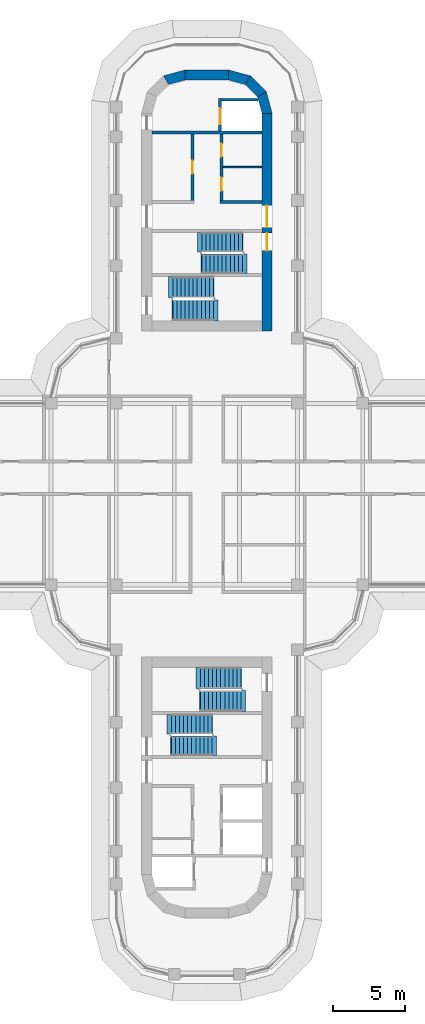
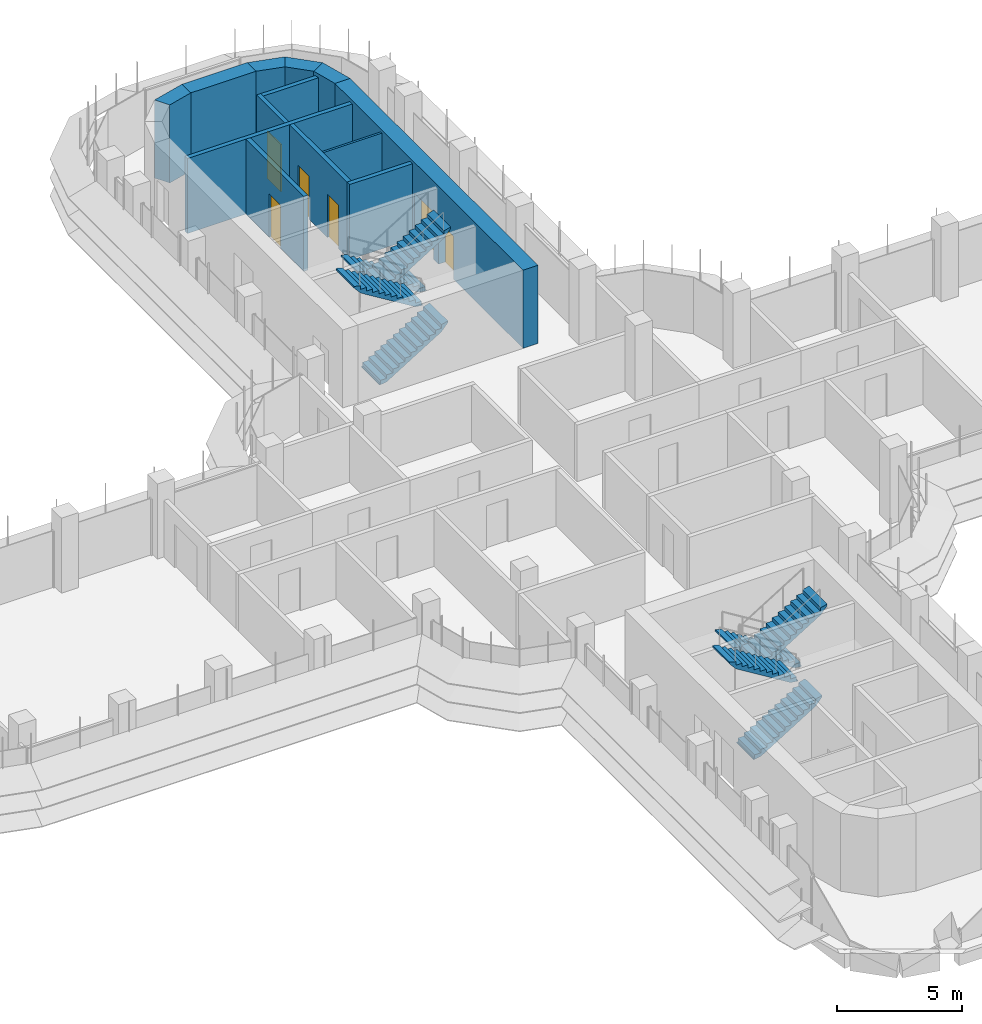
# One storey, part 16 of 20: 13 walls, 8 stair flights, 6 doors, 6 openings, 4 elements without a shape of their own.
"""IFC4 building model written with IfcOpenShell, lengths in metres."""

from ifc_helpers import new_model, si_unit, direction, frame, frame_2d, origin, place, context, subcontext, project, spatial, polyline, rectangle, outline, extrude, material, layer, layer_set, type_object, element, fill, aggregate, save


model = new_model("IFC4")

# Units and contexts
model_context = context("Model", 3, precision=1e-05, world=origin(), true_north=direction((0.0, 1.0)))
body_context = subcontext(model_context, "Body", "Model", "MODEL_VIEW")
ifc_project = project(units=[si_unit("LENGTHUNIT", "METRE"), si_unit("AREAUNIT", "SQUARE_METRE"), si_unit("VOLUMEUNIT", "CUBIC_METRE"), si_unit("PLANEANGLEUNIT", "RADIAN"), si_unit("MASSUNIT", "GRAM", prefix="KILO")], contexts=[model_context])

# Site, building, storey
site_placement = place(None, origin())
site = spatial("IfcSite", under=ifc_project, at=site_placement, CompositionType="ELEMENT")
building_placement = place(site_placement, origin())
building = spatial("IfcBuilding", under=site, at=building_placement, Name="Zarbagh Exchange Tower", CompositionType="ELEMENT")
storey_placement = place(building_placement, frame((0.0, 0.0, 144.800048828125)))
storey = spatial("IfcBuildingStorey", under=building, at=storey_placement, Name="L34", CompositionType="ELEMENT", Elevation=144.800048828125)

# Walls
ifc_material_1 = material(Name="Dense blockwork", Category="masonry")
ifc_layer_1 = layer(ifc_material_1, 0.10009765625)
ifc_layer_set_1 = layer_set([ifc_layer_1], Name="Core partition 100 mm blockwork")
wall_type_1 = type_object("IfcWallType", Name="Core partition 100 mm blockwork", PredefinedType="PARTITIONING", material=ifc_layer_set_1)
wall_1_placement = place(storey_placement, frame((1.10009765625, 22.550048828125, 0.0), z_axis=(0.0, 0.0, 1.0), x_axis=(1.0, 0.0, 0.0)))
element("IfcWall", 1, at=wall_1_placement, inside=storey, type_object=wall_type_1, Name="North core partition wall CUT-E-580", PredefinedType="PARTITIONING", context=body_context, shape_type="SweptSolid", body=[
    extrude(rectangle(XDim=2.699951171875, YDim=0.10009765625, at=frame_2d((1.35009765625, 0.0))), origin(), (0.0, 0.0, 1.0), 3.64990234375),
])
ifc_material_2 = material(Name="Concrete C50/60", Category="concrete")
ifc_layer_2 = layer(ifc_material_2, 0.699951171875)
ifc_layer_set_2 = layer_set([ifc_layer_2], Name="RC core corner wall 700 C50/60")
wall_type_2 = type_object("IfcWallType", Name="RC core corner wall 700 C50/60", PredefinedType="SHEAR", material=ifc_layer_set_2)
wall_2_placement = place(storey_placement, origin())
element("IfcWall", 2, at=wall_2_placement, inside=storey, type_object=wall_type_2, Name="CW6 core N corner W", PredefinedType="SHEAR", context=body_context, shape_type="SweptSolid", body=[
    extrude(outline(polyline([(-3.0, 28.84814453125), (-1.5, 29.25), (-1.5, 28.550048828125), (-2.64990234375, 28.241943359375), (-3.0, 28.84814453125)])), origin(), (0.0, 0.0, 1.0), 3.800048828125),
])
wall_3_placement = place(storey_placement, origin())
element("IfcWall", 3, at=wall_3_placement, inside=storey, type_object=wall_type_2, Name="CW6 core N corner E", PredefinedType="SHEAR", context=body_context, shape_type="SweptSolid", body=[
    extrude(outline(polyline([(4.5, 26.25), (4.09814453125, 27.75), (3.491943359375, 27.39990234375), (3.800048828125, 26.25), (4.5, 26.25)])), origin(), (0.0, 0.0, 1.0), 3.800048828125),
])
wall_4_placement = place(storey_placement, origin())
element("IfcWall", 4, at=wall_4_placement, inside=storey, type_object=wall_type_2, Name="CW6 core N corner E", PredefinedType="SHEAR", context=body_context, shape_type="SweptSolid", body=[
    extrude(outline(polyline([(4.09814453125, 27.75), (3.0, 28.84814453125), (2.64990234375, 28.241943359375), (3.491943359375, 27.39990234375), (4.09814453125, 27.75)])), origin(), (0.0, 0.0, 1.0), 3.800048828125),
])
wall_5_placement = place(storey_placement, origin())
element("IfcWall", 5, at=wall_5_placement, inside=storey, type_object=wall_type_2, Name="CW6 core N corner E", PredefinedType="SHEAR", context=body_context, shape_type="SweptSolid", body=[
    extrude(outline(polyline([(3.0, 28.84814453125), (1.5, 29.25), (1.5, 28.550048828125), (2.64990234375, 28.241943359375), (3.0, 28.84814453125)])), origin(), (0.0, 0.0, 1.0), 3.800048828125),
])

# Wall, openings, doors
ifc_layer_3 = layer(ifc_material_2, 0.699951171875)
ifc_layer_set_3 = layer_set([ifc_layer_3], Name="RC core wall 700 C50/60")
wall_type_3 = type_object("IfcWallType", Name="RC core wall 700 C50/60", PredefinedType="SHEAR", material=ifc_layer_set_3)
wall_6_placement = place(storey_placement, frame((4.14990234375, 11.25, 0.0), z_axis=(0.0, 0.0, 1.0), x_axis=(0.0, 1.0, 0.0)))
wall_6 = element("IfcWall", 6, at=wall_6_placement, inside=storey, type_object=wall_type_3, Name="CW5 core N E", PredefinedType="SHEAR", context=body_context, shape_type="SweptSolid", body=[
    extrude(rectangle(XDim=15.0, YDim=0.699951171875, at=frame_2d((7.5, 0.0))), origin(), (0.0, 0.0, 1.0), 3.800048828125),
])
opening_1_placement = place(wall_6_placement, frame((7.14990234375, 0.0, 0.0)))
opening_1 = element("IfcOpeningElement", 7, at=opening_1_placement, cuts=wall_6, Name="Opening CD1-1500", PredefinedType="OPENING", context=body_context, shape_type="SweptSolid", body=[
    extrude(rectangle(XDim=1.5, YDim=2.300048828125, at=frame_2d((0.75, 1.14990234375))), frame((0.0, 0.35986328125, 0.0), z_axis=(0.0, -1.0, 0.0), x_axis=(1.0, 0.0, 0.0)), (0.0, 0.0, 1.0), 0.719970703125),
])
opening_2_placement = place(wall_6_placement, frame((5.550048828125, 0.0, 0.0)))
opening_2 = element("IfcOpeningElement", 8, at=opening_2_placement, cuts=wall_6, Name="Opening SD1-1200", PredefinedType="OPENING", context=body_context, shape_type="SweptSolid", body=[
    extrude(rectangle(XDim=1.199951171875, YDim=2.10009765625, at=frame_2d((0.60009765625, 1.050048828125))), frame((0.0, 0.35986328125, 0.0), z_axis=(0.0, -1.0, 0.0), x_axis=(1.0, 0.0, 0.0)), (0.0, 0.0, 1.0), 0.719970703125),
])
ifc_material_3 = material(Name="Steel", Category="steel")
door_type_1 = type_object("IfcDoorType", Name="Exit stair door 1200 x 2100", OperationType="NOTDEFINED", PredefinedType="DOOR", material=ifc_material_3)
door_1_placement = place(opening_2_placement, origin())
door_1 = element("IfcDoor", 9, at=door_1_placement, inside=storey, type_object=door_type_1, Name="North core stair door ST1", OperationType="SINGLE_SWING_RIGHT", OverallHeight=2.10009765625, OverallWidth=1.199951171875, PredefinedType="DOOR", context=body_context, shape_type="SweptSolid", body=[
    extrude(rectangle(XDim=1.199951171875, YDim=2.10009765625, at=frame_2d((0.60009765625, 1.050048828125))), frame((0.0, 0.02490234375, 0.0), z_axis=(0.0, -1.0, 0.0), x_axis=(1.0, 0.0, 0.0)), (0.0, 0.0, 1.0), 0.050048828125),
])
fill(opening_2, door_1)
door_type_2 = type_object("IfcDoorType", Name="Lift lobby double door 1500 x 2300", OperationType="NOTDEFINED", PredefinedType="DOOR", material=ifc_material_3)
door_2_placement = place(opening_1_placement, origin())
door_2 = element("IfcDoor", 10, at=door_2_placement, inside=storey, type_object=door_type_2, Name="North core lift lobby door LOBBY-E", OperationType="DOUBLE_DOOR_SINGLE_SWING", OverallHeight=2.300048828125, OverallWidth=1.5, PredefinedType="DOOR", context=body_context, shape_type="SweptSolid", body=[
    extrude(rectangle(XDim=1.5, YDim=2.300048828125, at=frame_2d((0.75, 1.14990234375))), frame((0.0, 0.02490234375, 0.0), z_axis=(0.0, -1.0, 0.0), x_axis=(1.0, 0.0, 0.0)), (0.0, 0.0, 1.0), 0.050048828125),
])
fill(opening_1, door_2)

# Wall
wall_7_placement = place(storey_placement, frame((-1.5, 28.89990234375, 0.0), z_axis=(0.0, 0.0, 1.0), x_axis=(1.0, 0.0, 0.0)))
element("IfcWall", 11, at=wall_7_placement, inside=storey, type_object=wall_type_3, Name="CW5 core N outer end", PredefinedType="SHEAR", context=body_context, shape_type="SweptSolid", body=[
    extrude(rectangle(XDim=3.0, YDim=0.699951171875, at=frame_2d((1.5, 0.0))), origin(), (0.0, 0.0, 1.0), 3.800048828125),
])

# Wall, opening, door
ifc_layer_4 = layer(ifc_material_1, 0.199951171875)
ifc_layer_set_4 = layer_set([ifc_layer_4], Name="Shaft wall 200 mm blockwork")
wall_type_4 = type_object("IfcWallType", Name="Shaft wall 200 mm blockwork", PredefinedType="PARTITIONING", material=ifc_layer_set_4)
wall_8_placement = place(storey_placement, frame((-1.0, 24.85009765625, 0.0), z_axis=(0.0, 0.0, 1.0), x_axis=(0.0, -1.0, 0.0)))
wall_8 = element("IfcWall", 12, at=wall_8_placement, inside=storey, type_object=wall_type_4, Name="North core shaft wall LW-W", PredefinedType="PARTITIONING", context=body_context, shape_type="SweptSolid", body=[
    extrude(rectangle(XDim=4.60009765625, YDim=0.199951171875, at=frame_2d((2.300048828125, 0.0))), origin(), (0.0, 0.0, 1.0), 3.64990234375),
])
opening_3_placement = place(wall_8_placement, frame((1.85009765625, 0.0, 0.0)))
opening_3 = element("IfcOpeningElement", 13, at=opening_3_placement, cuts=wall_8, Name="Opening CD3-900", PredefinedType="OPENING", context=body_context, shape_type="SweptSolid", body=[
    extrude(rectangle(XDim=0.89990234375, YDim=2.10009765625, at=frame_2d((0.449951171875, 1.050048828125))), frame((0.0, 0.10986328125, 0.0), z_axis=(0.0, -1.0, 0.0), x_axis=(1.0, 0.0, 0.0)), (0.0, 0.0, 1.0), 0.219970703125),
])
door_type_3 = type_object("IfcDoorType", Name="Core room door 900 x 2100", OperationType="NOTDEFINED", PredefinedType="DOOR", material=ifc_material_3)
door_3_placement = place(opening_3_placement, origin())
door_3 = element("IfcDoor", 14, at=door_3_placement, inside=storey, type_object=door_type_3, Name="North core Riser store door RD-W-0", OperationType="SINGLE_SWING_RIGHT", OverallHeight=2.10009765625, OverallWidth=0.89990234375, PredefinedType="DOOR", context=body_context, shape_type="SweptSolid", body=[
    extrude(rectangle(XDim=0.89990234375, YDim=2.10009765625, at=frame_2d((0.449951171875, 1.050048828125))), frame((0.0, 0.02490234375, 0.0), z_axis=(0.0, -1.0, 0.0), x_axis=(1.0, 0.0, 0.0)), (0.0, 0.0, 1.0), 0.050048828125),
])
fill(opening_3, door_3)

# Wall
wall_9_placement = place(storey_placement, frame((0.89990234375, 20.14990234375, 0.0), z_axis=(0.0, 0.0, 1.0), x_axis=(1.0, 0.0, 0.0)))
element("IfcWall", 15, at=wall_9_placement, inside=storey, type_object=wall_type_4, Name="North core shaft wall AB-E", PredefinedType="PARTITIONING", context=body_context, shape_type="SweptSolid", body=[
    extrude(rectangle(XDim=2.900146484375, YDim=0.199951171875, at=frame_2d((1.4501953125, 0.0))), origin(), (0.0, 0.0, 1.0), 3.64990234375),
])

# Wall, openings, doors
wall_10_placement = place(storey_placement, frame((1.0, 24.85009765625, 0.0), z_axis=(0.0, 0.0, 1.0), x_axis=(0.0, -1.0, 0.0)))
wall_10 = element("IfcWall", 16, at=wall_10_placement, inside=storey, type_object=wall_type_4, Name="North core shaft wall LW-E", PredefinedType="PARTITIONING", context=body_context, shape_type="SweptSolid", body=[
    extrude(rectangle(XDim=4.60009765625, YDim=0.199951171875, at=frame_2d((2.300048828125, 0.0))), origin(), (0.0, 0.0, 1.0), 3.64990234375),
])
opening_4_placement = place(wall_10_placement, frame((0.675048828125, 0.0, 0.0)))
opening_4 = element("IfcOpeningElement", 17, at=opening_4_placement, cuts=wall_10, Name="Opening CD3-900", PredefinedType="OPENING", context=body_context, shape_type="SweptSolid", body=[
    extrude(rectangle(XDim=0.89990234375, YDim=2.10009765625, at=frame_2d((0.449951171875, 1.050048828125))), frame((0.0, 0.10986328125, 0.0), z_axis=(0.0, -1.0, 0.0), x_axis=(1.0, 0.0, 0.0)), (0.0, 0.0, 1.0), 0.219970703125),
])
opening_5_placement = place(wall_10_placement, frame((3.02490234375, 0.0, 0.0)))
opening_5 = element("IfcOpeningElement", 18, at=opening_5_placement, cuts=wall_10, Name="Opening CD3-900", PredefinedType="OPENING", context=body_context, shape_type="SweptSolid", body=[
    extrude(rectangle(XDim=0.89990234375, YDim=2.10009765625, at=frame_2d((0.449951171875, 1.050048828125))), frame((0.0, 0.10986328125, 0.0), z_axis=(0.0, -1.0, 0.0), x_axis=(1.0, 0.0, 0.0)), (0.0, 0.0, 1.0), 0.219970703125),
])
door_4_placement = place(opening_4_placement, origin())
door_4 = element("IfcDoor", 19, at=door_4_placement, inside=storey, type_object=door_type_3, Name="North core Staff WC door RD-E-0", OperationType="SINGLE_SWING_RIGHT", OverallHeight=2.10009765625, OverallWidth=0.89990234375, PredefinedType="DOOR", context=body_context, shape_type="SweptSolid", body=[
    extrude(rectangle(XDim=0.89990234375, YDim=2.10009765625, at=frame_2d((0.449951171875, 1.050048828125))), frame((0.0, 0.02490234375, 0.0), z_axis=(0.0, -1.0, 0.0), x_axis=(1.0, 0.0, 0.0)), (0.0, 0.0, 1.0), 0.050048828125),
])
fill(opening_4, door_4)
door_5_placement = place(opening_5_placement, origin())
door_5 = element("IfcDoor", 20, at=door_5_placement, inside=storey, type_object=door_type_3, Name="North core Accessible WC door RD-E-1", OperationType="SINGLE_SWING_RIGHT", OverallHeight=2.10009765625, OverallWidth=0.89990234375, PredefinedType="DOOR", context=body_context, shape_type="SweptSolid", body=[
    extrude(rectangle(XDim=0.89990234375, YDim=2.10009765625, at=frame_2d((0.449951171875, 1.050048828125))), frame((0.0, 0.02490234375, 0.0), z_axis=(0.0, -1.0, 0.0), x_axis=(1.0, 0.0, 0.0)), (0.0, 0.0, 1.0), 0.050048828125),
])
fill(opening_5, door_5)

# Wall
ifc_material_4 = material(Name="Concrete C40/50", Category="concrete")
ifc_layer_5 = layer(ifc_material_4, 0.199951171875)
ifc_layer_set_5 = layer_set([ifc_layer_5], Name="Stair enclosure wall 200 mm RC C40/50")
wall_type_5 = type_object("IfcWallType", Name="Stair enclosure wall 200 mm RC C40/50", PredefinedType="SHEAR", material=ifc_layer_set_5)
wall_11_placement = place(storey_placement, frame((-3.800048828125, 24.949951171875, 0.0), z_axis=(0.0, 0.0, 1.0), x_axis=(1.0, 0.0, 0.0)))
element("IfcWall", 21, at=wall_11_placement, inside=storey, type_object=wall_type_5, Name="North core lift shaft wall FFA", PredefinedType="SHEAR", context=body_context, shape_type="SweptSolid", body=[
    extrude(rectangle(XDim=7.60009765625, YDim=0.199951171875, at=frame_2d((3.800048828125, 0.0))), origin(), (0.0, 0.0, 1.0), 3.64990234375),
])

# Wall, opening, door
wall_12_placement = place(storey_placement, frame((0.89990234375, 27.300048828125, 0.0), z_axis=(0.0, 0.0, 1.0), x_axis=(0.0, -1.0, 0.0)))
wall_12 = element("IfcWall", 22, at=wall_12_placement, inside=storey, type_object=wall_type_5, Name="North core lift shaft wall FFL", PredefinedType="SHEAR", context=body_context, shape_type="SweptSolid", body=[
    extrude(rectangle(XDim=2.25, YDim=0.199951171875, at=frame_2d((1.125, 0.0))), origin(), (0.0, 0.0, 1.0), 3.64990234375),
])
opening_6_placement = place(wall_12_placement, frame((0.699951171875, 0.0, 0.0)))
opening_6 = element("IfcOpeningElement", 23, at=opening_6_placement, cuts=wall_12, Name="Opening LD-1100", PredefinedType="OPENING", context=body_context, shape_type="SweptSolid", body=[
    extrude(rectangle(XDim=1.10009765625, YDim=2.300048828125, at=frame_2d((0.550048828125, 1.14990234375))), frame((0.0, 0.10986328125, 0.0), z_axis=(0.0, -1.0, 0.0), x_axis=(1.0, 0.0, 0.0)), (0.0, 0.0, 1.0), 0.219970703125),
])
ifc_material_5 = material(Name="Stainless steel", Category="steel")
door_type_4 = type_object("IfcDoorType", Name="Lift landing door 1100 x 2300", OperationType="NOTDEFINED", PredefinedType="DOOR", material=ifc_material_5)
door_6_placement = place(opening_6_placement, origin())
door_6 = element("IfcDoor", 24, at=door_6_placement, inside=storey, type_object=door_type_4, Name="North core lift landing door LD-F", OperationType="DOUBLE_DOOR_SLIDING", OverallHeight=2.300048828125, OverallWidth=1.10009765625, PredefinedType="DOOR", context=body_context, shape_type="SweptSolid", body=[
    extrude(rectangle(XDim=1.10009765625, YDim=2.300048828125, at=frame_2d((0.550048828125, 1.14990234375))), frame((0.0, 0.02490234375, 0.0), z_axis=(0.0, -1.0, 0.0), x_axis=(1.0, 0.0, 0.0)), (0.0, 0.0, 1.0), 0.050048828125),
])
fill(opening_6, door_6)

# Wall
wall_13_placement = place(storey_placement, origin())
element("IfcWall", 25, at=wall_13_placement, inside=storey, type_object=wall_type_5, Name="North core lift shaft wall FFX", PredefinedType="SHEAR", context=body_context, shape_type="SweptSolid", body=[
    extrude(outline(polyline([(1.0, 27.10009765625), (3.547607421875, 27.10009765625), (3.493896484375, 27.300048828125), (1.0, 27.300048828125), (1.0, 27.10009765625)])), origin(), (0.0, 0.0, 1.0), 3.64990234375),
])

# Stair, stair flights
stair_type = type_object("IfcStairType", Name="Exit stair two-flight half-turn", PredefinedType="HALF_TURN_STAIR", material=ifc_material_4)
stair_1_placement = place(storey_placement, origin())
stair_1 = element("IfcStair", 26, at=stair_1_placement, inside=storey, type_object=stair_type, Name="exit stair ST1", PredefinedType="HALF_TURN_STAIR")
stair_flight_type_1 = type_object("IfcStairFlightType", Name="Stair flight 1350 mm", PredefinedType="STRAIGHT", material=ifc_material_4)
stair_flight_1_placement = place(storey_placement, frame((2.449951171875, 17.375, 0.0), z_axis=(0.0, 0.0, 1.0), x_axis=(-1.0, 0.0, 0.0)))
stair_flight_1 = element("IfcStairFlight", 27, at=stair_flight_1_placement, type_object=stair_flight_type_1, Name="ST1 flight 1", NumberOfRisers=11, NumberOfTreads=10, PredefinedType="STRAIGHT", RiserHeight=0.172727273, TreadLength=0.28, context=body_context, shape_type="SweptSolid", body=[
    extrude(outline(polyline([(-0.050048828125, -0.050048828125), (-0.050048828125, 0.0), (0.0, 0.0), (0.0, 0.172607421875), (0.280029296875, 0.172607421875), (0.280029296875, 0.345458984375), (0.56005859375, 0.345458984375), (0.56005859375, 0.51806640625), (0.840087890625, 0.51806640625), (0.840087890625, 0.69091796875), (1.1201171875, 0.69091796875), (1.1201171875, 0.863525390625), (1.39990234375, 0.863525390625), (1.39990234375, 1.036376953125), (1.679931640625, 1.036376953125), (1.679931640625, 1.208984375), (1.9599609375, 1.208984375), (1.9599609375, 1.3818359375), (2.239990234375, 1.3818359375), (2.239990234375, 1.554443359375), (2.52001953125, 1.554443359375), (2.52001953125, 1.727294921875), (2.800048828125, 1.727294921875), (2.800048828125, 1.89990234375), (3.10009765625, 1.97998046875), (3.10009765625, 1.89990234375), (2.800048828125, 1.551025390625), (0.285400390625, 0.0), (-0.050048828125, -0.050048828125)])), frame((0.0, 0.675048828125, 0.0), z_axis=(0.0, -1.0, 0.0), x_axis=(1.0, 0.0, 0.0)), (0.0, 0.0, 1.0), 1.35009765625),
])
stair_flight_2_placement = place(storey_placement, frame((-0.35009765625, 15.875, 1.89990234375), z_axis=(0.0, 0.0, 1.0), x_axis=(1.0, 0.0, 0.0)))
stair_flight_2 = element("IfcStairFlight", 28, at=stair_flight_2_placement, type_object=stair_flight_type_1, Name="ST1 flight 2", NumberOfRisers=11, NumberOfTreads=10, PredefinedType="STRAIGHT", RiserHeight=0.172727273, TreadLength=0.28, context=body_context, shape_type="SweptSolid", body=[
    extrude(outline(polyline([(-0.050048828125, -0.050048828125), (-0.050048828125, 0.0), (0.0, 0.0), (0.0, 0.172607421875), (0.280029296875, 0.172607421875), (0.280029296875, 0.345458984375), (0.56005859375, 0.345458984375), (0.56005859375, 0.51806640625), (0.840087890625, 0.51806640625), (0.840087890625, 0.69091796875), (1.1201171875, 0.69091796875), (1.1201171875, 0.863525390625), (1.39990234375, 0.863525390625), (1.39990234375, 1.036376953125), (1.679931640625, 1.036376953125), (1.679931640625, 1.208984375), (1.9599609375, 1.208984375), (1.9599609375, 1.3818359375), (2.239990234375, 1.3818359375), (2.239990234375, 1.554443359375), (2.52001953125, 1.554443359375), (2.52001953125, 1.727294921875), (2.800048828125, 1.727294921875), (2.800048828125, 1.89990234375), (3.10009765625, 1.97998046875), (3.10009765625, 1.89990234375), (2.800048828125, 1.551025390625), (0.285400390625, 0.0), (-0.050048828125, -0.050048828125)])), frame((0.0, 0.675048828125, 0.0), z_axis=(0.0, -1.0, 0.0), x_axis=(1.0, 0.0, 0.0)), (0.0, 0.0, 1.0), 1.35009765625),
])
aggregate(stair_1, [stair_flight_1, stair_flight_2])

stair_2_placement = place(storey_placement, origin())
stair_2 = element("IfcStair", 29, at=stair_2_placement, inside=storey, type_object=stair_type, Name="exit stair ST3", PredefinedType="HALF_TURN_STAIR")
stair_flight_3_placement = place(storey_placement, frame((-2.449951171875, -17.375, 0.0), z_axis=(0.0, 0.0, 1.0), x_axis=(1.0, 0.0, 0.0)))
stair_flight_3 = element("IfcStairFlight", 30, at=stair_flight_3_placement, type_object=stair_flight_type_1, Name="ST3 flight 1", NumberOfRisers=11, NumberOfTreads=10, PredefinedType="STRAIGHT", RiserHeight=0.172727273, TreadLength=0.28, context=body_context, shape_type="SweptSolid", body=[
    extrude(outline(polyline([(-0.050048828125, -0.050048828125), (-0.050048828125, 0.0), (0.0, 0.0), (0.0, 0.172607421875), (0.280029296875, 0.172607421875), (0.280029296875, 0.345458984375), (0.56005859375, 0.345458984375), (0.56005859375, 0.51806640625), (0.840087890625, 0.51806640625), (0.840087890625, 0.69091796875), (1.1201171875, 0.69091796875), (1.1201171875, 0.863525390625), (1.39990234375, 0.863525390625), (1.39990234375, 1.036376953125), (1.679931640625, 1.036376953125), (1.679931640625, 1.208984375), (1.9599609375, 1.208984375), (1.9599609375, 1.3818359375), (2.239990234375, 1.3818359375), (2.239990234375, 1.554443359375), (2.52001953125, 1.554443359375), (2.52001953125, 1.727294921875), (2.800048828125, 1.727294921875), (2.800048828125, 1.89990234375), (3.10009765625, 1.97998046875), (3.10009765625, 1.89990234375), (2.800048828125, 1.551025390625), (0.285400390625, 0.0), (-0.050048828125, -0.050048828125)])), frame((0.0, 0.675048828125, 0.0), z_axis=(0.0, -1.0, 0.0), x_axis=(1.0, 0.0, 0.0)), (0.0, 0.0, 1.0), 1.35009765625),
])
stair_flight_4_placement = place(storey_placement, frame((0.35009765625, -15.875, 1.89990234375), z_axis=(0.0, 0.0, 1.0), x_axis=(-1.0, 0.0, 0.0)))
stair_flight_4 = element("IfcStairFlight", 31, at=stair_flight_4_placement, type_object=stair_flight_type_1, Name="ST3 flight 2", NumberOfRisers=11, NumberOfTreads=10, PredefinedType="STRAIGHT", RiserHeight=0.172727273, TreadLength=0.28, context=body_context, shape_type="SweptSolid", body=[
    extrude(outline(polyline([(-0.050048828125, -0.050048828125), (-0.050048828125, 0.0), (0.0, 0.0), (0.0, 0.172607421875), (0.280029296875, 0.172607421875), (0.280029296875, 0.345458984375), (0.56005859375, 0.345458984375), (0.56005859375, 0.51806640625), (0.840087890625, 0.51806640625), (0.840087890625, 0.69091796875), (1.1201171875, 0.69091796875), (1.1201171875, 0.863525390625), (1.39990234375, 0.863525390625), (1.39990234375, 1.036376953125), (1.679931640625, 1.036376953125), (1.679931640625, 1.208984375), (1.9599609375, 1.208984375), (1.9599609375, 1.3818359375), (2.239990234375, 1.3818359375), (2.239990234375, 1.554443359375), (2.52001953125, 1.554443359375), (2.52001953125, 1.727294921875), (2.800048828125, 1.727294921875), (2.800048828125, 1.89990234375), (3.10009765625, 1.97998046875), (3.10009765625, 1.89990234375), (2.800048828125, 1.551025390625), (0.285400390625, 0.0), (-0.050048828125, -0.050048828125)])), frame((0.0, 0.675048828125, 0.0), z_axis=(0.0, -1.0, 0.0), x_axis=(1.0, 0.0, 0.0)), (0.0, 0.0, 1.0), 1.35009765625),
])
aggregate(stair_2, [stair_flight_3, stair_flight_4])

stair_3_placement = place(storey_placement, origin())
stair_3 = element("IfcStair", 32, at=stair_3_placement, inside=storey, type_object=stair_type, Name="exit stair ST2", PredefinedType="HALF_TURN_STAIR")
stair_flight_type_2 = type_object("IfcStairFlightType", Name="Stair flight 1450 mm", PredefinedType="STRAIGHT", material=ifc_material_4)
stair_flight_5_placement = place(storey_placement, frame((-2.35009765625, 12.675048828125, 0.0), z_axis=(0.0, 0.0, 1.0), x_axis=(1.0, 0.0, 0.0)))
stair_flight_5 = element("IfcStairFlight", 33, at=stair_flight_5_placement, type_object=stair_flight_type_2, Name="ST2 flight 1", NumberOfRisers=11, NumberOfTreads=10, PredefinedType="STRAIGHT", RiserHeight=0.172727273, TreadLength=0.28, context=body_context, shape_type="SweptSolid", body=[
    extrude(outline(polyline([(-0.050048828125, -0.050048828125), (-0.050048828125, 0.0), (0.0, 0.0), (0.0, 0.172607421875), (0.280029296875, 0.172607421875), (0.280029296875, 0.345458984375), (0.56005859375, 0.345458984375), (0.56005859375, 0.51806640625), (0.840087890625, 0.51806640625), (0.840087890625, 0.69091796875), (1.1201171875, 0.69091796875), (1.1201171875, 0.863525390625), (1.39990234375, 0.863525390625), (1.39990234375, 1.036376953125), (1.679931640625, 1.036376953125), (1.679931640625, 1.208984375), (1.9599609375, 1.208984375), (1.9599609375, 1.3818359375), (2.239990234375, 1.3818359375), (2.239990234375, 1.554443359375), (2.52001953125, 1.554443359375), (2.52001953125, 1.727294921875), (2.800048828125, 1.727294921875), (2.800048828125, 1.89990234375), (3.10009765625, 1.97998046875), (3.10009765625, 1.89990234375), (2.800048828125, 1.551025390625), (0.285400390625, 0.0), (-0.050048828125, -0.050048828125)])), frame((0.0, 0.72509765625, 0.0), z_axis=(0.0, -1.0, 0.0), x_axis=(1.0, 0.0, 0.0)), (0.0, 0.0, 1.0), 1.449951171875),
])
stair_flight_6_placement = place(storey_placement, frame((0.449951171875, 14.27490234375, 1.89990234375), z_axis=(0.0, 0.0, 1.0), x_axis=(-1.0, 0.0, 0.0)))
stair_flight_6 = element("IfcStairFlight", 34, at=stair_flight_6_placement, type_object=stair_flight_type_2, Name="ST2 flight 2", NumberOfRisers=11, NumberOfTreads=10, PredefinedType="STRAIGHT", RiserHeight=0.172727273, TreadLength=0.28, context=body_context, shape_type="SweptSolid", body=[
    extrude(outline(polyline([(-0.050048828125, -0.050048828125), (-0.050048828125, 0.0), (0.0, 0.0), (0.0, 0.172607421875), (0.280029296875, 0.172607421875), (0.280029296875, 0.345458984375), (0.56005859375, 0.345458984375), (0.56005859375, 0.51806640625), (0.840087890625, 0.51806640625), (0.840087890625, 0.69091796875), (1.1201171875, 0.69091796875), (1.1201171875, 0.863525390625), (1.39990234375, 0.863525390625), (1.39990234375, 1.036376953125), (1.679931640625, 1.036376953125), (1.679931640625, 1.208984375), (1.9599609375, 1.208984375), (1.9599609375, 1.3818359375), (2.239990234375, 1.3818359375), (2.239990234375, 1.554443359375), (2.52001953125, 1.554443359375), (2.52001953125, 1.727294921875), (2.800048828125, 1.727294921875), (2.800048828125, 1.89990234375), (3.10009765625, 1.97998046875), (3.10009765625, 1.89990234375), (2.800048828125, 1.551025390625), (0.285400390625, 0.0), (-0.050048828125, -0.050048828125)])), frame((0.0, 0.72509765625, 0.0), z_axis=(0.0, -1.0, 0.0), x_axis=(1.0, 0.0, 0.0)), (0.0, 0.0, 1.0), 1.449951171875),
])
aggregate(stair_3, [stair_flight_5, stair_flight_6])

stair_4_placement = place(storey_placement, origin())
stair_4 = element("IfcStair", 35, at=stair_4_placement, inside=storey, type_object=stair_type, Name="exit stair ST4", PredefinedType="HALF_TURN_STAIR")
stair_flight_7_placement = place(storey_placement, frame((2.35009765625, -12.675048828125, 0.0), z_axis=(0.0, 0.0, 1.0), x_axis=(-1.0, 0.0, 0.0)))
stair_flight_7 = element("IfcStairFlight", 36, at=stair_flight_7_placement, type_object=stair_flight_type_2, Name="ST4 flight 1", NumberOfRisers=11, NumberOfTreads=10, PredefinedType="STRAIGHT", RiserHeight=0.172727273, TreadLength=0.28, context=body_context, shape_type="SweptSolid", body=[
    extrude(outline(polyline([(-0.050048828125, -0.050048828125), (-0.050048828125, 0.0), (0.0, 0.0), (0.0, 0.172607421875), (0.280029296875, 0.172607421875), (0.280029296875, 0.345458984375), (0.56005859375, 0.345458984375), (0.56005859375, 0.51806640625), (0.840087890625, 0.51806640625), (0.840087890625, 0.69091796875), (1.1201171875, 0.69091796875), (1.1201171875, 0.863525390625), (1.39990234375, 0.863525390625), (1.39990234375, 1.036376953125), (1.679931640625, 1.036376953125), (1.679931640625, 1.208984375), (1.9599609375, 1.208984375), (1.9599609375, 1.3818359375), (2.239990234375, 1.3818359375), (2.239990234375, 1.554443359375), (2.52001953125, 1.554443359375), (2.52001953125, 1.727294921875), (2.800048828125, 1.727294921875), (2.800048828125, 1.89990234375), (3.10009765625, 1.97998046875), (3.10009765625, 1.89990234375), (2.800048828125, 1.551025390625), (0.285400390625, 0.0), (-0.050048828125, -0.050048828125)])), frame((0.0, 0.72509765625, 0.0), z_axis=(0.0, -1.0, 0.0), x_axis=(1.0, 0.0, 0.0)), (0.0, 0.0, 1.0), 1.449951171875),
])
stair_flight_8_placement = place(storey_placement, frame((-0.449951171875, -14.27490234375, 1.89990234375), z_axis=(0.0, 0.0, 1.0), x_axis=(1.0, 0.0, 0.0)))
stair_flight_8 = element("IfcStairFlight", 37, at=stair_flight_8_placement, type_object=stair_flight_type_2, Name="ST4 flight 2", NumberOfRisers=11, NumberOfTreads=10, PredefinedType="STRAIGHT", RiserHeight=0.172727273, TreadLength=0.28, context=body_context, shape_type="SweptSolid", body=[
    extrude(outline(polyline([(-0.050048828125, -0.050048828125), (-0.050048828125, 0.0), (0.0, 0.0), (0.0, 0.172607421875), (0.280029296875, 0.172607421875), (0.280029296875, 0.345458984375), (0.56005859375, 0.345458984375), (0.56005859375, 0.51806640625), (0.840087890625, 0.51806640625), (0.840087890625, 0.69091796875), (1.1201171875, 0.69091796875), (1.1201171875, 0.863525390625), (1.39990234375, 0.863525390625), (1.39990234375, 1.036376953125), (1.679931640625, 1.036376953125), (1.679931640625, 1.208984375), (1.9599609375, 1.208984375), (1.9599609375, 1.3818359375), (2.239990234375, 1.3818359375), (2.239990234375, 1.554443359375), (2.52001953125, 1.554443359375), (2.52001953125, 1.727294921875), (2.800048828125, 1.727294921875), (2.800048828125, 1.89990234375), (3.10009765625, 1.97998046875), (3.10009765625, 1.89990234375), (2.800048828125, 1.551025390625), (0.285400390625, 0.0), (-0.050048828125, -0.050048828125)])), frame((0.0, 0.72509765625, 0.0), z_axis=(0.0, -1.0, 0.0), x_axis=(1.0, 0.0, 0.0)), (0.0, 0.0, 1.0), 1.449951171875),
])
aggregate(stair_4, [stair_flight_7, stair_flight_8])

save(model, "model.ifc")
